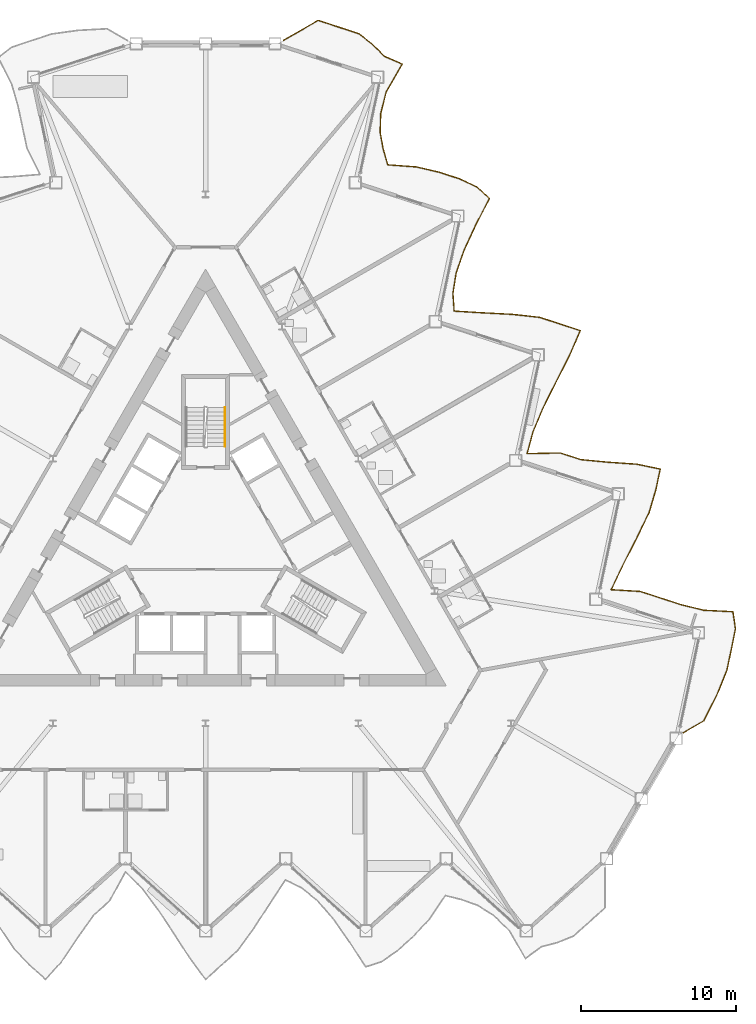
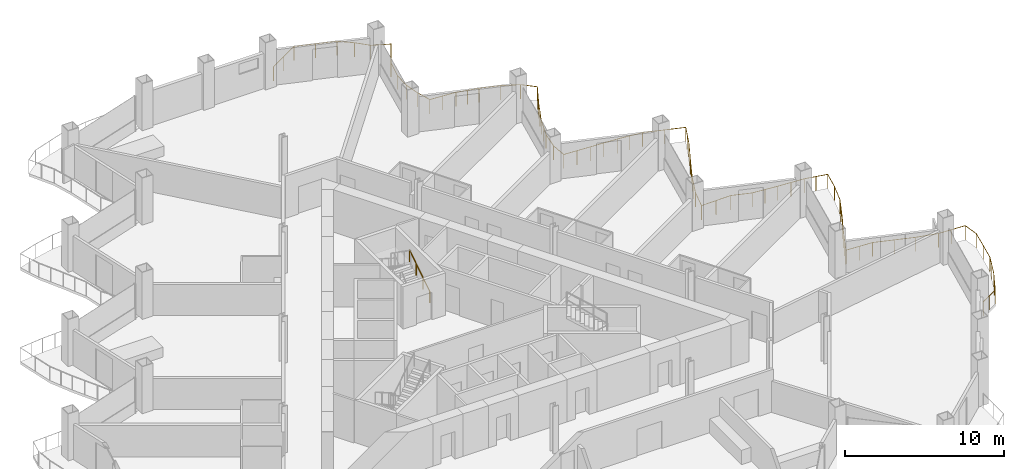
# One storey, part 22 of 24: 2 railings.
"""IFC4 building model written with IfcOpenShell, lengths in metres."""

from ifc_helpers import new_model, si_unit, direction, frame, origin, origin_2d, place, context, subcontext, project, spatial, circle, extrude, material, type_object, element, save


model = new_model("IFC4")

# Units and contexts
model_context = context("Model", 3, precision=1e-05, world=origin(), true_north=direction((0.0, 1.0)))
body_context = subcontext(model_context, "Body", "Model", "MODEL_VIEW")
ifc_project = project(units=[si_unit("LENGTHUNIT", "METRE"), si_unit("AREAUNIT", "SQUARE_METRE"), si_unit("VOLUMEUNIT", "CUBIC_METRE"), si_unit("PLANEANGLEUNIT", "RADIAN"), si_unit("MASSUNIT", "GRAM", prefix="KILO")], contexts=[model_context])

# Site, building, storey
site_placement = place(None, origin())
site = spatial("IfcSite", under=ifc_project, at=site_placement, CompositionType="ELEMENT")
building_placement = place(site_placement, origin())
building = spatial("IfcBuilding", under=site, at=building_placement, Name="Cormorant Prow Tower", CompositionType="ELEMENT")
storey_placement = place(building_placement, frame((0.0, 0.0, 205.199951171875)))
storey = spatial("IfcBuildingStorey", under=building, at=storey_placement, Name="L45", CompositionType="ELEMENT", Elevation=205.199951171875)

# Railings
ifc_material_1 = material(Name="Aluminium 6063-T6", Category="aluminium")
railing_type_1 = type_object("IfcRailingType", Name="Balcony guard 1100", PredefinedType="GUARDRAIL", material=ifc_material_1)
railing_1_placement = place(storey_placement, frame((30.76220703125, -11.961669921875, 0.0)))
element("IfcRailing", 1, at=railing_1_placement, inside=storey, type_object=railing_type_1, Name="Balcony guard ENE", PredefinedType="GUARDRAIL", context=body_context, shape_type="SweptSolid", body=[
    extrude(circle(Radius=0.02392578125, at=origin_2d()), frame((0.0, 0.0, 1.076171875), z_axis=(0.866030456496, 0.499991248344, 0.0), x_axis=(-0.499991248344, 0.866030456496, 0.0)), (0.0, 0.0, 1.0), 1.52001953125),
    extrude(circle(Radius=0.02392578125, at=origin_2d()), frame((1.31640625, 0.760009765625, 1.076171875), z_axis=(0.451051519915, 0.892497913937, 0.0), x_axis=(-0.892497913937, 0.451051519915, 0.0)), (0.0, 0.0, 1.0), 1.880859375),
    extrude(circle(Radius=0.02392578125, at=origin_2d()), frame((2.164794921875, 2.438720703125, 1.076171875), z_axis=(0.378711973619, 0.925514581753, 0.0), x_axis=(-0.925514581753, 0.378711973619, 0.0)), (0.0, 0.0, 1.0), 1.681884765625),
    extrude(circle(Radius=0.02392578125, at=origin_2d()), frame((2.8017578125, 3.995361328125, 1.076171875), z_axis=(0.207928301643, 0.978144069847, 0.0), x_axis=(-0.978144069847, 0.207928301643, 0.0)), (0.0, 0.0, 1.0), 1.385498046875),
    extrude(circle(Radius=0.02392578125, at=origin_2d()), frame((3.08984375, 5.3505859375, 1.076171875), z_axis=(0.196081886104, 0.980587524876, 0.0), x_axis=(-0.980587524876, 0.196081886104, 0.0)), (0.0, 0.0, 1.0), 1.370849609375),
    extrude(circle(Radius=0.02392578125, at=origin_2d()), frame((3.358642578125, 6.69482421875, 1.076171875), z_axis=(-0.143857472512, 0.98959841734, 0.0), x_axis=(-0.98959841734, -0.143857472512, 0.0)), (0.0, 0.0, 1.0), 1.108154296875),
    extrude(circle(Radius=0.02392578125, at=origin_2d()), frame((3.19921875, 7.79150390625, 1.076171875), z_axis=(-0.998717729688, 0.050625057109, 0.0), x_axis=(-0.050625057109, -0.998717729688, 0.0)), (0.0, 0.0, 1.0), 1.895263671875),
    extrude(circle(Radius=0.02392578125, at=origin_2d()), frame((1.306396484375, 7.887451171875, 1.076171875), z_axis=(-0.971157092168, 0.238440563521, 0.0), x_axis=(-0.238440563521, -0.971157092168, 0.0)), (0.0, 0.0, 1.0), 1.48779296875),
    extrude(circle(Radius=0.02392578125, at=origin_2d()), frame((-0.138427734375, 8.2421875, 1.076171875), z_axis=(-0.95105219364, 0.309030297822, 0.0), x_axis=(-0.309030297822, -0.95105219364, 0.0)), (0.0, 0.0, 1.0), 1.3857421875),
    extrude(circle(Radius=0.02392578125, at=origin_2d()), frame((-1.456298828125, 8.67041015625, 1.076171875), z_axis=(-0.951035363693, 0.309082087811, 0.0), x_axis=(-0.309082087811, -0.951035363693, 0.0)), (0.0, 0.0, 1.0), 1.385498046875),
    extrude(circle(Radius=0.02392578125, at=origin_2d()), frame((-2.77392578125, 9.0986328125, 1.076171875), z_axis=(-0.998216695896, 0.059694455643, 0.0), x_axis=(-0.059694455643, -0.998216695896, 0.0)), (0.0, 0.0, 1.0), 1.869140625),
    extrude(circle(Radius=0.02392578125, at=origin_2d()), frame((-4.6396484375, 9.210205078125, 1.076171875), z_axis=(0.428971673978, 0.903317941217, 0.0), x_axis=(-0.903317941217, 0.428971673978, 0.0)), (0.0, 0.0, 1.0), 1.813232421875),
    extrude(circle(Radius=0.02392578125, at=origin_2d()), frame((-3.86181640625, 10.84814453125, 1.076171875), z_axis=(0.457353814976, 0.889284818226, 0.0), x_axis=(-0.889284818226, 0.457353814976, 0.0)), (0.0, 0.0, 1.0), 1.9013671875),
    extrude(circle(Radius=0.02392578125, at=origin_2d()), frame((-2.9921875, 12.5390625, 1.076171875), z_axis=(0.433972190162, 0.900926266776, 0.0), x_axis=(-0.900926266776, 0.433972190162, 0.0)), (0.0, 0.0, 1.0), 1.828369140625),
    extrude(circle(Radius=0.02392578125, at=origin_2d()), frame((-2.19873046875, 14.186279296875, 1.076171875), z_axis=(0.286017669149, 0.958224343739, 0.0), x_axis=(-0.958224343739, 0.286017669149, 0.0)), (0.0, 0.0, 1.0), 1.498779296875),
    extrude(circle(Radius=0.02392578125, at=origin_2d()), frame((-1.77001953125, 15.62255859375, 1.076171875), z_axis=(0.207759700267, 0.978179894981, 0.0), x_axis=(-0.978179894981, 0.207759700267, 0.0)), (0.0, 0.0, 1.0), 1.385498046875),
    extrude(circle(Radius=0.02392578125, at=origin_2d()), frame((-1.482177734375, 16.977783203125, 1.076171875), z_axis=(-0.979026381985, 0.203733510689, 0.0), x_axis=(-0.203733510689, -0.979026381985, 0.0)), (0.0, 0.0, 1.0), 1.5458984375),
    extrude(circle(Radius=0.02392578125, at=origin_2d()), frame((-2.99560546875, 17.292724609375, 1.076171875), z_axis=(-0.99769652424, 0.06783542968, 0.0), x_axis=(-0.06783542968, -0.99769652424, 0.0)), (0.0, 0.0, 1.0), 1.84619140625),
    extrude(circle(Radius=0.02392578125, at=origin_2d()), frame((-4.837646484375, 17.41796875, 1.076171875), z_axis=(-0.995445252612, 0.095334930909, 0.0), x_axis=(-0.095334930909, -0.995445252612, 0.0)), (0.0, 0.0, 1.0), 1.774658203125),
    extrude(circle(Radius=0.02392578125, at=origin_2d()), frame((-6.604248046875, 17.587158203125, 1.076171875), z_axis=(-0.951035363693, 0.309082087811, 0.0), x_axis=(-0.309082087811, -0.951035363693, 0.0)), (0.0, 0.0, 1.0), 1.385498046875),
    extrude(circle(Radius=0.02392578125, at=origin_2d()), frame((-7.921875, 18.015380859375, 1.076171875), z_axis=(-0.999797213453, -0.020137824395, 0.0), x_axis=(0.020137824395, -0.999797213453, 0.0)), (0.0, 0.0, 1.0), 2.1337890625),
    extrude(circle(Radius=0.02392578125, at=origin_2d()), frame((-10.05517578125, 17.972412109375, 1.076171875), z_axis=(0.260183618707, 0.965559156425, 0.0), x_axis=(-0.965559156425, 0.260183618707, 0.0)), (0.0, 0.0, 1.0), 1.458251953125),
    extrude(circle(Radius=0.02392578125, at=origin_2d()), frame((-9.67578125, 19.38037109375, 1.076171875), z_axis=(0.388958547178, 0.921255257015, 0.0), x_axis=(-0.921255257015, 0.388958547178, 0.0)), (0.0, 0.0, 1.0), 1.70654296875),
    extrude(circle(Radius=0.02392578125, at=origin_2d()), frame((-9.011962890625, 20.95263671875, 1.076171875), z_axis=(0.448360864251, 0.893852636293, 0.0), x_axis=(-0.893852636293, 0.448360864251, 0.0)), (0.0, 0.0, 1.0), 1.8720703125),
    extrude(circle(Radius=0.02392578125, at=origin_2d()), frame((-8.172607421875, 22.6259765625, 1.076171875), z_axis=(0.453305877477, 0.891355025478, 0.0), x_axis=(-0.891355025478, 0.453305877477, 0.0)), (0.0, 0.0, 1.0), 1.88818359375),
    extrude(circle(Radius=0.02392578125, at=origin_2d()), frame((-7.316650390625, 24.30908203125, 1.076171875), z_axis=(0.397413086801, 0.917639819558, 0.0), x_axis=(-0.917639819558, 0.397413086801, 0.0)), (0.0, 0.0, 1.0), 1.7275390625),
    extrude(circle(Radius=0.02392578125, at=origin_2d()), frame((-6.630126953125, 25.894287109375, 1.076171875), z_axis=(-0.951035363693, 0.309082087811, 0.0), x_axis=(-0.309082087811, -0.951035363693, 0.0)), (0.0, 0.0, 1.0), 1.385498046875),
    extrude(circle(Radius=0.02392578125, at=origin_2d()), frame((-7.94775390625, 26.322509765625, 1.076171875), z_axis=(-0.951087151367, 0.308922693412, 0.0), x_axis=(-0.308922693412, -0.951087151367, 0.0)), (0.0, 0.0, 1.0), 1.385498046875),
    extrude(circle(Radius=0.02392578125, at=origin_2d()), frame((-9.265380859375, 26.75048828125, 1.076171875), z_axis=(-0.994137264944, 0.108125383, 0.0), x_axis=(-0.108125383, -0.994137264944, 0.0)), (0.0, 0.0, 1.0), 1.7431640625),
    extrude(circle(Radius=0.02392578125, at=origin_2d()), frame((-10.998291015625, 26.93896484375, 1.076171875), z_axis=(-0.998624243935, 0.052436813637, 0.0), x_axis=(-0.052436813637, -0.998624243935, 0.0)), (0.0, 0.0, 1.0), 1.890380859375),
    extrude(circle(Radius=0.02392578125, at=origin_2d()), frame((-12.885986328125, 27.0380859375, 1.076171875), z_axis=(-0.998216695896, 0.059694455643, 0.0), x_axis=(-0.059694455643, -0.998216695896, 0.0)), (0.0, 0.0, 1.0), 1.869140625),
    extrude(circle(Radius=0.02392578125, at=origin_2d()), frame((-14.751708984375, 27.149658203125, 1.076171875), z_axis=(-0.069460192235, 0.997584724068, 0.0), x_axis=(-0.997584724068, -0.069460192235, 0.0)), (0.0, 0.0, 1.0), 1.145751953125),
    extrude(circle(Radius=0.02392578125, at=origin_2d()), frame((-14.831298828125, 28.292724609375, 1.076171875), z_axis=(0.155962573473, 0.987762965329, 0.0), x_axis=(-0.987762965329, 0.155962573473, 0.0)), (0.0, 0.0, 1.0), 1.32421875),
    extrude(circle(Radius=0.02392578125, at=origin_2d()), frame((-14.624755859375, 29.600830078125, 1.076171875), z_axis=(0.328021300489, 0.944670326847, 0.0), x_axis=(-0.944670326847, 0.328021300489, 0.0)), (0.0, 0.0, 1.0), 1.57421875),
    extrude(circle(Radius=0.02392578125, at=origin_2d()), frame((-14.1083984375, 31.087890625, 1.076171875), z_axis=(0.423249912719, 0.906012975284, 0.0), x_axis=(-0.906012975284, 0.423249912719, 0.0)), (0.0, 0.0, 1.0), 1.796875),
    extrude(circle(Radius=0.02392578125, at=origin_2d()), frame((-13.347900390625, 32.7158203125, 1.076171875), z_axis=(0.456953087296, 0.889490795911, 0.0), x_axis=(-0.889490795911, 0.456953087296, 0.0)), (0.0, 0.0, 1.0), 1.89990234375),
    extrude(circle(Radius=0.02392578125, at=origin_2d()), frame((-12.479736328125, 34.40576171875, 1.076171875), z_axis=(-0.738465925188, 0.674290795826, 0.0), x_axis=(-0.674290795826, -0.738465925188, 0.0)), (0.0, 0.0, 1.0), 1.080322265625),
    extrude(circle(Radius=0.02392578125, at=origin_2d()), frame((-13.277587890625, 35.13427734375, 1.076171875), z_axis=(-0.905316348441, 0.424737930077, 0.0), x_axis=(-0.424737930077, -0.905316348441, 0.0)), (0.0, 0.0, 1.0), 1.2548828125),
    extrude(circle(Radius=0.02392578125, at=origin_2d()), frame((-14.41357421875, 35.667236328125, 1.076171875), z_axis=(-0.951035363693, 0.309082087811, 0.0), x_axis=(-0.309082087811, -0.951035363693, 0.0)), (0.0, 0.0, 1.0), 1.385498046875),
    extrude(circle(Radius=0.02392578125, at=origin_2d()), frame((-15.731201171875, 36.095458984375, 1.076171875), z_axis=(-0.974456553885, 0.224576099775, 0.0), x_axis=(-0.224576099775, -0.974456553885, 0.0)), (0.0, 0.0, 1.0), 1.510009765625),
    extrude(circle(Radius=0.02392578125, at=origin_2d()), frame((-17.20263671875, 36.4345703125, 1.076171875), z_axis=(-0.997342464546, 0.072856080142, 0.0), x_axis=(-0.072856080142, -0.997342464546, 0.0)), (0.0, 0.0, 1.0), 1.8330078125),
    extrude(circle(Radius=0.02392578125, at=origin_2d()), frame((-19.03076171875, 36.568115234375, 1.076171875), z_axis=(-0.27639244996, 0.961044855147, 0.0), x_axis=(-0.961044855147, -0.27639244996, 0.0)), (0.0, 0.0, 1.0), 1.060791015625),
    extrude(circle(Radius=0.02392578125, at=origin_2d()), frame((-19.323974609375, 37.587646484375, 1.076171875), z_axis=(-0.17925867627, 0.983801975492, 0.0), x_axis=(-0.983801975492, -0.17925867627, 0.0)), (0.0, 0.0, 1.0), 1.09375),
    extrude(circle(Radius=0.02392578125, at=origin_2d()), frame((-19.52001953125, 38.66357421875, 1.076171875), z_axis=(0.033810702135, 0.999428254764, 0.0), x_axis=(-0.999428254764, 0.033810702135, 0.0)), (0.0, 0.0, 1.0), 1.213134765625),
    extrude(circle(Radius=0.02392578125, at=origin_2d()), frame((-19.47900390625, 39.8759765625, 1.076171875), z_axis=(0.243537294551, 0.969891533195, 0.0), x_axis=(-0.969891533195, 0.243537294551, 0.0)), (0.0, 0.0, 1.0), 1.43359375),
    extrude(circle(Radius=0.02392578125, at=origin_2d()), frame((-19.1298828125, 41.266357421875, 1.076171875), z_axis=(0.50119942559, 0.865331806759, 0.0), x_axis=(-0.865331806759, 0.50119942559, 0.0)), (0.0, 0.0, 1.0), 2.064453125),
    extrude(circle(Radius=0.02392578125, at=origin_2d()), frame((-18.09521484375, 43.052734375, 1.076171875), z_axis=(-0.916227414794, 0.400658613261, 0.0), x_axis=(-0.400658613261, -0.916227414794, 0.0)), (0.0, 0.0, 1.0), 1.279052734375),
    extrude(circle(Radius=0.02392578125, at=origin_2d()), frame((-19.26708984375, 43.565185546875, 1.076171875), z_axis=(-0.699834848537, 0.714304686232, 0.0), x_axis=(-0.714304686232, -0.699834848537, 0.0)), (0.0, 0.0, 1.0), 1.06298828125),
    extrude(circle(Radius=0.02392578125, at=origin_2d()), frame((-20.010986328125, 44.324462890625, 1.076171875), z_axis=(-0.789032664101, 0.614351247237, 0.0), x_axis=(-0.614351247237, -0.789032664101, 0.0)), (0.0, 0.0, 1.0), 1.111083984375),
    extrude(circle(Radius=0.02392578125, at=origin_2d()), frame((-20.8876953125, 45.007080078125, 1.076171875), z_axis=(-0.949389153866, 0.314102267616, 0.0), x_axis=(-0.314102267616, -0.949389153866, 0.0)), (0.0, 0.0, 1.0), 1.37890625),
    extrude(circle(Radius=0.02392578125, at=origin_2d()), frame((-22.19677734375, 45.440185546875, 1.076171875), z_axis=(-0.951087151367, 0.308922693412, 0.0), x_axis=(-0.308922693412, -0.951087151367, 0.0)), (0.0, 0.0, 1.0), 1.385498046875),
    extrude(circle(Radius=0.02392578125, at=origin_2d()), frame((-23.514404296875, 45.8681640625, 1.076171875), z_axis=(-0.866054294558, -0.499949956374, 0.0), x_axis=(0.499949956374, -0.866054294558, 0.0)), (0.0, 0.0, 1.0), 2.570068359375),
    extrude(circle(Radius=0.02099609375, at=origin_2d()), origin(), (0.0, 0.0, 1.0), 1.052001953125),
    extrude(circle(Radius=0.02099609375, at=origin_2d()), frame((0.658203125, 0.3798828125, 0.0)), (0.0, 0.0, 1.0), 1.052001953125),
    extrude(circle(Radius=0.02099609375, at=origin_2d()), frame((1.31640625, 0.760009765625, 0.0)), (0.0, 0.0, 1.0), 1.052001953125),
    extrude(circle(Radius=0.02099609375, at=origin_2d()), frame((1.74072265625, 1.599365234375, 0.0)), (0.0, 0.0, 1.0), 1.052001953125),
    extrude(circle(Radius=0.02099609375, at=origin_2d()), frame((2.164794921875, 2.438720703125, 0.0)), (0.0, 0.0, 1.0), 1.052001953125),
    extrude(circle(Radius=0.02099609375, at=origin_2d()), frame((2.4833984375, 3.217041015625, 0.0)), (0.0, 0.0, 1.0), 1.052001953125),
    extrude(circle(Radius=0.02099609375, at=origin_2d()), frame((2.8017578125, 3.995361328125, 0.0)), (0.0, 0.0, 1.0), 1.052001953125),
    extrude(circle(Radius=0.02099609375, at=origin_2d()), frame((3.08984375, 5.3505859375, 0.0)), (0.0, 0.0, 1.0), 1.052001953125),
    extrude(circle(Radius=0.02099609375, at=origin_2d()), frame((3.358642578125, 6.69482421875, 0.0)), (0.0, 0.0, 1.0), 1.052001953125),
    extrude(circle(Radius=0.02099609375, at=origin_2d()), frame((3.19921875, 7.79150390625, 0.0)), (0.0, 0.0, 1.0), 1.052001953125),
    extrude(circle(Radius=0.02099609375, at=origin_2d()), frame((2.2529296875, 7.83935546875, 0.0)), (0.0, 0.0, 1.0), 1.052001953125),
    extrude(circle(Radius=0.02099609375, at=origin_2d()), frame((1.306396484375, 7.887451171875, 0.0)), (0.0, 0.0, 1.0), 1.052001953125),
    extrude(circle(Radius=0.02099609375, at=origin_2d()), frame((-0.138427734375, 8.2421875, 0.0)), (0.0, 0.0, 1.0), 1.052001953125),
    extrude(circle(Radius=0.02099609375, at=origin_2d()), frame((-1.456298828125, 8.67041015625, 0.0)), (0.0, 0.0, 1.0), 1.052001953125),
    extrude(circle(Radius=0.02099609375, at=origin_2d()), frame((-2.77392578125, 9.0986328125, 0.0)), (0.0, 0.0, 1.0), 1.052001953125),
    extrude(circle(Radius=0.02099609375, at=origin_2d()), frame((-3.706787109375, 9.154296875, 0.0)), (0.0, 0.0, 1.0), 1.052001953125),
    extrude(circle(Radius=0.02099609375, at=origin_2d()), frame((-4.6396484375, 9.210205078125, 0.0)), (0.0, 0.0, 1.0), 1.052001953125),
    extrude(circle(Radius=0.02099609375, at=origin_2d()), frame((-4.250732421875, 10.029296875, 0.0)), (0.0, 0.0, 1.0), 1.052001953125),
    extrude(circle(Radius=0.02099609375, at=origin_2d()), frame((-3.86181640625, 10.84814453125, 0.0)), (0.0, 0.0, 1.0), 1.052001953125),
    extrude(circle(Radius=0.02099609375, at=origin_2d()), frame((-3.427001953125, 11.693603515625, 0.0)), (0.0, 0.0, 1.0), 1.052001953125),
    extrude(circle(Radius=0.02099609375, at=origin_2d()), frame((-2.9921875, 12.5390625, 0.0)), (0.0, 0.0, 1.0), 1.052001953125),
    extrude(circle(Radius=0.02099609375, at=origin_2d()), frame((-2.595458984375, 13.36279296875, 0.0)), (0.0, 0.0, 1.0), 1.052001953125),
    extrude(circle(Radius=0.02099609375, at=origin_2d()), frame((-2.19873046875, 14.186279296875, 0.0)), (0.0, 0.0, 1.0), 1.052001953125),
    extrude(circle(Radius=0.02099609375, at=origin_2d()), frame((-1.77001953125, 15.62255859375, 0.0)), (0.0, 0.0, 1.0), 1.052001953125),
    extrude(circle(Radius=0.02099609375, at=origin_2d()), frame((-1.482177734375, 16.977783203125, 0.0)), (0.0, 0.0, 1.0), 1.052001953125),
    extrude(circle(Radius=0.02099609375, at=origin_2d()), frame((-2.23876953125, 17.13525390625, 0.0)), (0.0, 0.0, 1.0), 1.052001953125),
    extrude(circle(Radius=0.02099609375, at=origin_2d()), frame((-2.99560546875, 17.292724609375, 0.0)), (0.0, 0.0, 1.0), 1.052001953125),
    extrude(circle(Radius=0.02099609375, at=origin_2d()), frame((-3.91650390625, 17.35546875, 0.0)), (0.0, 0.0, 1.0), 1.052001953125),
    extrude(circle(Radius=0.02099609375, at=origin_2d()), frame((-4.837646484375, 17.41796875, 0.0)), (0.0, 0.0, 1.0), 1.052001953125),
    extrude(circle(Radius=0.02099609375, at=origin_2d()), frame((-5.720947265625, 17.50244140625, 0.0)), (0.0, 0.0, 1.0), 1.052001953125),
    extrude(circle(Radius=0.02099609375, at=origin_2d()), frame((-6.604248046875, 17.587158203125, 0.0)), (0.0, 0.0, 1.0), 1.052001953125),
    extrude(circle(Radius=0.02099609375, at=origin_2d()), frame((-7.921875, 18.015380859375, 0.0)), (0.0, 0.0, 1.0), 1.052001953125),
    extrude(circle(Radius=0.02099609375, at=origin_2d()), frame((-8.988525390625, 17.993896484375, 0.0)), (0.0, 0.0, 1.0), 1.052001953125),
    extrude(circle(Radius=0.02099609375, at=origin_2d()), frame((-10.05517578125, 17.972412109375, 0.0)), (0.0, 0.0, 1.0), 1.052001953125),
    extrude(circle(Radius=0.02099609375, at=origin_2d()), frame((-9.67578125, 19.38037109375, 0.0)), (0.0, 0.0, 1.0), 1.052001953125),
    extrude(circle(Radius=0.02099609375, at=origin_2d()), frame((-9.34375, 20.16650390625, 0.0)), (0.0, 0.0, 1.0), 1.052001953125),
    extrude(circle(Radius=0.02099609375, at=origin_2d()), frame((-9.011962890625, 20.95263671875, 0.0)), (0.0, 0.0, 1.0), 1.052001953125),
    extrude(circle(Radius=0.02099609375, at=origin_2d()), frame((-8.59228515625, 21.789306640625, 0.0)), (0.0, 0.0, 1.0), 1.052001953125),
    extrude(circle(Radius=0.02099609375, at=origin_2d()), frame((-8.172607421875, 22.6259765625, 0.0)), (0.0, 0.0, 1.0), 1.052001953125),
    extrude(circle(Radius=0.02099609375, at=origin_2d()), frame((-7.74462890625, 23.467529296875, 0.0)), (0.0, 0.0, 1.0), 1.052001953125),
    extrude(circle(Radius=0.02099609375, at=origin_2d()), frame((-7.316650390625, 24.30908203125, 0.0)), (0.0, 0.0, 1.0), 1.052001953125),
    extrude(circle(Radius=0.02099609375, at=origin_2d()), frame((-6.973388671875, 25.1015625, 0.0)), (0.0, 0.0, 1.0), 1.052001953125),
    extrude(circle(Radius=0.02099609375, at=origin_2d()), frame((-6.630126953125, 25.894287109375, 0.0)), (0.0, 0.0, 1.0), 1.052001953125),
    extrude(circle(Radius=0.02099609375, at=origin_2d()), frame((-7.94775390625, 26.322509765625, 0.0)), (0.0, 0.0, 1.0), 1.052001953125),
    extrude(circle(Radius=0.02099609375, at=origin_2d()), frame((-9.265380859375, 26.75048828125, 0.0)), (0.0, 0.0, 1.0), 1.052001953125),
    extrude(circle(Radius=0.02099609375, at=origin_2d()), frame((-10.1318359375, 26.8447265625, 0.0)), (0.0, 0.0, 1.0), 1.052001953125),
    extrude(circle(Radius=0.02099609375, at=origin_2d()), frame((-10.998291015625, 26.93896484375, 0.0)), (0.0, 0.0, 1.0), 1.052001953125),
    extrude(circle(Radius=0.02099609375, at=origin_2d()), frame((-11.942138671875, 26.988525390625, 0.0)), (0.0, 0.0, 1.0), 1.052001953125),
    extrude(circle(Radius=0.02099609375, at=origin_2d()), frame((-12.885986328125, 27.0380859375, 0.0)), (0.0, 0.0, 1.0), 1.052001953125),
    extrude(circle(Radius=0.02099609375, at=origin_2d()), frame((-13.81884765625, 27.09375, 0.0)), (0.0, 0.0, 1.0), 1.052001953125),
    extrude(circle(Radius=0.02099609375, at=origin_2d()), frame((-14.751708984375, 27.149658203125, 0.0)), (0.0, 0.0, 1.0), 1.052001953125),
    extrude(circle(Radius=0.02099609375, at=origin_2d()), frame((-14.831298828125, 28.292724609375, 0.0)), (0.0, 0.0, 1.0), 1.052001953125),
    extrude(circle(Radius=0.02099609375, at=origin_2d()), frame((-14.624755859375, 29.600830078125, 0.0)), (0.0, 0.0, 1.0), 1.052001953125),
    extrude(circle(Radius=0.02099609375, at=origin_2d()), frame((-14.36669921875, 30.34423828125, 0.0)), (0.0, 0.0, 1.0), 1.052001953125),
    extrude(circle(Radius=0.02099609375, at=origin_2d()), frame((-14.1083984375, 31.087890625, 0.0)), (0.0, 0.0, 1.0), 1.052001953125),
    extrude(circle(Radius=0.02099609375, at=origin_2d()), frame((-13.72802734375, 31.90185546875, 0.0)), (0.0, 0.0, 1.0), 1.052001953125),
    extrude(circle(Radius=0.02099609375, at=origin_2d()), frame((-13.347900390625, 32.7158203125, 0.0)), (0.0, 0.0, 1.0), 1.052001953125),
    extrude(circle(Radius=0.02099609375, at=origin_2d()), frame((-12.913818359375, 33.560791015625, 0.0)), (0.0, 0.0, 1.0), 1.052001953125),
    extrude(circle(Radius=0.02099609375, at=origin_2d()), frame((-12.479736328125, 34.40576171875, 0.0)), (0.0, 0.0, 1.0), 1.052001953125),
    extrude(circle(Radius=0.02099609375, at=origin_2d()), frame((-13.277587890625, 35.13427734375, 0.0)), (0.0, 0.0, 1.0), 1.052001953125),
    extrude(circle(Radius=0.02099609375, at=origin_2d()), frame((-14.41357421875, 35.667236328125, 0.0)), (0.0, 0.0, 1.0), 1.052001953125),
    extrude(circle(Radius=0.02099609375, at=origin_2d()), frame((-15.731201171875, 36.095458984375, 0.0)), (0.0, 0.0, 1.0), 1.052001953125),
    extrude(circle(Radius=0.02099609375, at=origin_2d()), frame((-16.466796875, 36.26513671875, 0.0)), (0.0, 0.0, 1.0), 1.052001953125),
    extrude(circle(Radius=0.02099609375, at=origin_2d()), frame((-17.20263671875, 36.4345703125, 0.0)), (0.0, 0.0, 1.0), 1.052001953125),
    extrude(circle(Radius=0.02099609375, at=origin_2d()), frame((-18.11669921875, 36.50146484375, 0.0)), (0.0, 0.0, 1.0), 1.052001953125),
    extrude(circle(Radius=0.02099609375, at=origin_2d()), frame((-19.03076171875, 36.568115234375, 0.0)), (0.0, 0.0, 1.0), 1.052001953125),
    extrude(circle(Radius=0.02099609375, at=origin_2d()), frame((-19.323974609375, 37.587646484375, 0.0)), (0.0, 0.0, 1.0), 1.052001953125),
    extrude(circle(Radius=0.02099609375, at=origin_2d()), frame((-19.52001953125, 38.66357421875, 0.0)), (0.0, 0.0, 1.0), 1.052001953125),
    extrude(circle(Radius=0.02099609375, at=origin_2d()), frame((-19.47900390625, 39.8759765625, 0.0)), (0.0, 0.0, 1.0), 1.052001953125),
    extrude(circle(Radius=0.02099609375, at=origin_2d()), frame((-19.1298828125, 41.266357421875, 0.0)), (0.0, 0.0, 1.0), 1.052001953125),
    extrude(circle(Radius=0.02099609375, at=origin_2d()), frame((-18.612548828125, 42.15966796875, 0.0)), (0.0, 0.0, 1.0), 1.052001953125),
    extrude(circle(Radius=0.02099609375, at=origin_2d()), frame((-18.09521484375, 43.052734375, 0.0)), (0.0, 0.0, 1.0), 1.052001953125),
    extrude(circle(Radius=0.02099609375, at=origin_2d()), frame((-19.26708984375, 43.565185546875, 0.0)), (0.0, 0.0, 1.0), 1.052001953125),
    extrude(circle(Radius=0.02099609375, at=origin_2d()), frame((-20.010986328125, 44.324462890625, 0.0)), (0.0, 0.0, 1.0), 1.052001953125),
    extrude(circle(Radius=0.02099609375, at=origin_2d()), frame((-20.8876953125, 45.007080078125, 0.0)), (0.0, 0.0, 1.0), 1.052001953125),
    extrude(circle(Radius=0.02099609375, at=origin_2d()), frame((-22.19677734375, 45.440185546875, 0.0)), (0.0, 0.0, 1.0), 1.052001953125),
    extrude(circle(Radius=0.02099609375, at=origin_2d()), frame((-23.514404296875, 45.8681640625, 0.0)), (0.0, 0.0, 1.0), 1.052001953125),
    extrude(circle(Radius=0.02099609375, at=origin_2d()), frame((-24.62744140625, 45.2255859375, 0.0)), (0.0, 0.0, 1.0), 1.052001953125),
    extrude(circle(Radius=0.02099609375, at=origin_2d()), frame((-25.740234375, 44.583251953125, 0.0)), (0.0, 0.0, 1.0), 1.052001953125),
])
ifc_material_2 = material(Name="Stainless steel", Category="steel")
railing_type_2 = type_object("IfcRailingType", Name="Stair handrail 900", PredefinedType="HANDRAIL", material=ifc_material_2)
railing_2_placement = place(storey_placement, frame((1.243896484375, 6.455810546875, 0.179931640625)))
element("IfcRailing", 2, at=railing_2_placement, inside=storey, type_object=railing_type_2, Name="L45 ST3 stair handrail 1", PredefinedType="HANDRAIL", context=body_context, shape_type="SweptSolid", body=[
    extrude(circle(Radius=0.02392578125, at=origin_2d()), frame((0.0, 0.0, 0.8759765625), z_axis=(0.0, 0.841162588446, 0.540782303519), x_axis=(-1.0, 0.0, 0.0)), (0.0, 0.0, 1.0), 2.995849609375),
    extrude(circle(Radius=0.02099609375, at=origin_2d()), origin(), (0.0, 0.0, 1.0), 0.851806640625),
    extrude(circle(Radius=0.02099609375, at=origin_2d()), frame((0.0, 0.840087890625, 0.5400390625)), (0.0, 0.0, 1.0), 0.851806640625),
    extrude(circle(Radius=0.02099609375, at=origin_2d()), frame((0.0, 1.679931640625, 1.080078125)), (0.0, 0.0, 1.0), 0.851806640625),
    extrude(circle(Radius=0.02099609375, at=origin_2d()), frame((0.0, 2.52001953125, 1.6201171875)), (0.0, 0.0, 1.0), 0.851806640625),
])

save(model, "model.ifc")
